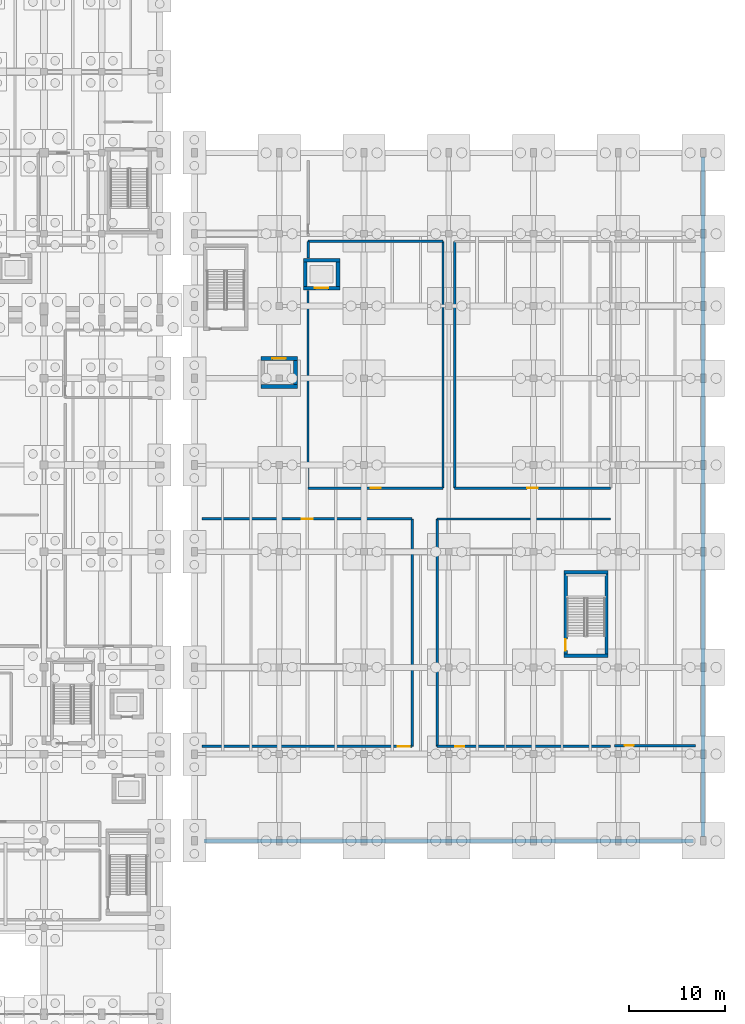
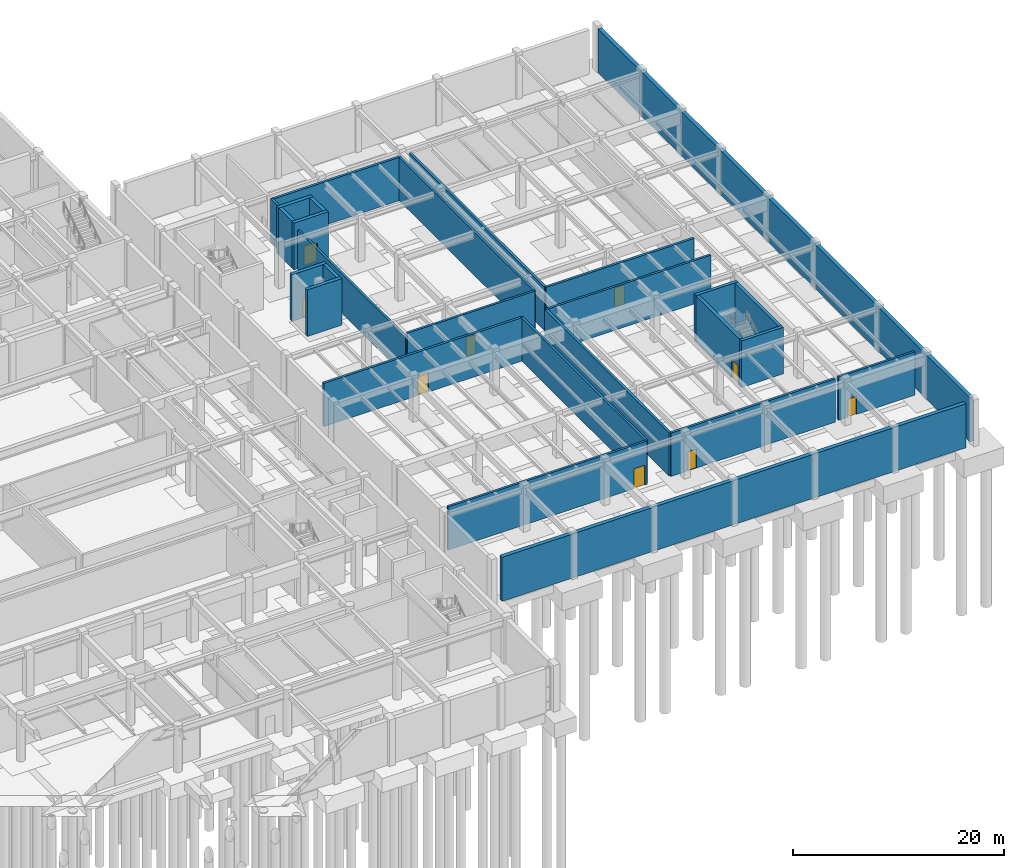
# One storey, part 55 of 69: 27 walls, 9 doors, 9 openings.
"""IFC4 building model written with IfcOpenShell, lengths in metres."""

from ifc_helpers import new_model, si_unit, direction, frame, frame_2d, origin, place, context, subcontext, project, spatial, rectangle, extrude, material, layer, layer_set, type_object, element, fill, save


model = new_model("IFC4")

# Units and contexts
model_context = context("Model", 3, precision=1e-05, world=origin(), true_north=direction((0.0, 1.0)))
body_context = subcontext(model_context, "Body", "Model", "MODEL_VIEW")
ifc_project = project(units=[si_unit("LENGTHUNIT", "METRE"), si_unit("AREAUNIT", "SQUARE_METRE"), si_unit("VOLUMEUNIT", "CUBIC_METRE"), si_unit("PLANEANGLEUNIT", "RADIAN"), si_unit("MASSUNIT", "GRAM", prefix="KILO")], contexts=[model_context])

# Site, building, storey
site_placement = place(None, origin())
site = spatial("IfcSite", under=ifc_project, at=site_placement, CompositionType="ELEMENT")
building_placement = place(site_placement, origin())
building = spatial("IfcBuilding", under=site, at=building_placement, Name="Vaelkrest Opera House", CompositionType="ELEMENT")
storey_placement = place(building_placement, frame((0.0, 0.0, -5.39990234375)))
storey = spatial("IfcBuildingStorey", under=building, at=storey_placement, Name="B1", CompositionType="ELEMENT", Elevation=-5.39990234375)

# Wall, opening, door
ifc_material_1 = material(Name="Concrete C40/50", Category="concrete")
ifc_layer_1 = layer(ifc_material_1, 0.239990234375)
ifc_layer_set_1 = layer_set([ifc_layer_1], Name="Concrete C40/50")
wall_type_1 = type_object("IfcWallType", Name="PT09", PredefinedType="PARTITIONING", material=ifc_layer_set_1)
wall_1_placement = place(storey_placement, frame((34.39990234375, -28.0, 0.0), z_axis=(0.0, 0.0, 1.0), x_axis=(1.0, 0.0, 0.0)))
wall_1 = element("IfcWall", 1, at=wall_1_placement, inside=storey, type_object=wall_type_1, Name="Interior partition PT-V4-B1-0327", PredefinedType="PARTITIONING", context=body_context, shape_type="SweptSolid", body=[
    extrude(rectangle(XDim=21.800048828125, YDim=0.239990234375, at=frame_2d((10.89990234375, 0.0))), origin(), (0.0, 0.0, 1.0), 5.02001953125),
])
opening_1_placement = place(wall_1_placement, frame((20.330078125, 0.0, 0.0)))
opening_1 = element("IfcOpeningElement", 2, at=opening_1_placement, cuts=wall_1, Name="Opening D135", PredefinedType="OPENING", context=body_context, shape_type="SweptSolid", body=[
    extrude(rectangle(XDim=1.219970703125, YDim=2.300048828125, at=frame_2d((0.60986328125, 1.14990234375))), frame((0.0, 0.1298828125, 0.0), z_axis=(0.0, -1.0, 0.0), x_axis=(1.0, 0.0, 0.0)), (0.0, 0.0, 1.0), 0.260009765625),
])
ifc_material_2 = material(Name="American black walnut acoustic timber", Category="wood")
door_type_1 = type_object("IfcDoorType", Name="DT24", OperationType="NOTDEFINED", PredefinedType="DOOR", material=ifc_material_2)
door_1_placement = place(opening_1_placement, origin())
door_1 = element("IfcDoor", 3, at=door_1_placement, inside=storey, type_object=door_type_1, Name="Interior door D135 (Scenery Store)", OperationType="SINGLE_SWING_RIGHT", OverallHeight=2.300048828125, OverallWidth=1.219970703125, PredefinedType="DOOR", context=body_context, shape_type="SweptSolid", body=[
    extrude(rectangle(XDim=1.219970703125, YDim=2.300048828125, at=frame_2d((0.60986328125, 1.14990234375))), frame((0.0, 0.02490234375, 0.0), z_axis=(0.0, -1.0, 0.0), x_axis=(1.0, 0.0, 0.0)), (0.0, 0.0, 1.0), 0.050048828125),
])
fill(opening_1, door_1)

# Walls
wall_2_placement = place(storey_placement, frame((56.199951171875, -28.0, 0.0), z_axis=(0.0, 0.0, 1.0), x_axis=(0.0, 1.0, 0.0)))
element("IfcWall", 4, at=wall_2_placement, inside=storey, type_object=wall_type_1, Name="Interior partition PT-V4-B1-0329", PredefinedType="PARTITIONING", context=body_context, shape_type="SweptSolid", body=[
    extrude(rectangle(XDim=23.60009765625, YDim=0.239990234375, at=frame_2d((11.800048828125, 0.0))), origin(), (0.0, 0.0, 1.0), 5.02001953125),
])
wall_3_placement = place(storey_placement, frame((58.800048828125, -4.39990234375, 0.0), z_axis=(0.0, 0.0, 1.0), x_axis=(1.0, 0.0, 0.0)))
element("IfcWall", 5, at=wall_3_placement, inside=storey, type_object=wall_type_1, Name="Interior partition PT-V4-B1-0331", PredefinedType="PARTITIONING", context=body_context, shape_type="SweptSolid", body=[
    extrude(rectangle(XDim=18.0, YDim=0.239990234375, at=frame_2d((9.0, 0.0))), origin(), (0.0, 0.0, 1.0), 5.02001953125),
])

# Wall, opening, door
wall_4_placement = place(storey_placement, frame((45.39990234375, -1.199951171875, 0.0), z_axis=(0.0, 0.0, 1.0), x_axis=(1.0, 0.0, 0.0)))
wall_4 = element("IfcWall", 6, at=wall_4_placement, inside=storey, type_object=wall_type_1, Name="Interior partition PT-V4-B1-0333", PredefinedType="PARTITIONING", context=body_context, shape_type="SweptSolid", body=[
    extrude(rectangle(XDim=14.0, YDim=0.239990234375, at=frame_2d((7.0, 0.0))), origin(), (0.0, 0.0, 1.0), 5.02001953125),
])
opening_2_placement = place(wall_4_placement, frame((6.47998046875, 0.0, 0.0)))
opening_2 = element("IfcOpeningElement", 7, at=opening_2_placement, cuts=wall_4, Name="Opening D133", PredefinedType="OPENING", context=body_context, shape_type="SweptSolid", body=[
    extrude(rectangle(XDim=1.0400390625, YDim=2.199951171875, at=frame_2d((0.52001953125, 1.10009765625))), frame((0.0, 0.1298828125, 0.0), z_axis=(0.0, -1.0, 0.0), x_axis=(1.0, 0.0, 0.0)), (0.0, 0.0, 1.0), 0.260009765625),
])
door_type_2 = type_object("IfcDoorType", Name="DT22", OperationType="NOTDEFINED", PredefinedType="DOOR", material=ifc_material_2)
door_2_placement = place(opening_2_placement, origin())
door_2 = element("IfcDoor", 8, at=door_2_placement, inside=storey, type_object=door_type_2, Name="Interior door D133 (MEP Plant Room)", OperationType="SINGLE_SWING_RIGHT", OverallHeight=2.199951171875, OverallWidth=1.0400390625, PredefinedType="DOOR", context=body_context, shape_type="SweptSolid", body=[
    extrude(rectangle(XDim=1.0400390625, YDim=2.199951171875, at=frame_2d((0.52001953125, 1.10009765625))), frame((0.0, 0.02490234375, 0.0), z_axis=(0.0, -1.0, 0.0), x_axis=(1.0, 0.0, 0.0)), (0.0, 0.0, 1.0), 0.050048828125),
])
fill(opening_2, door_2)

# Walls
wall_5_placement = place(storey_placement, frame((45.39990234375, -1.199951171875, 0.0), z_axis=(0.0, 0.0, 1.0), x_axis=(0.0, 1.0, 0.0)))
element("IfcWall", 9, at=wall_5_placement, inside=storey, type_object=wall_type_1, Name="Interior partition PT-V4-B1-0335", PredefinedType="PARTITIONING", context=body_context, shape_type="SweptSolid", body=[
    extrude(rectangle(XDim=20.5, YDim=0.239990234375, at=frame_2d((10.25, 0.0))), origin(), (0.0, 0.0, 1.0), 4.52099609375),
])
wall_6_placement = place(storey_placement, frame((59.39990234375, -1.199951171875, 0.0), z_axis=(0.0, 0.0, 1.0), x_axis=(0.0, 1.0, 0.0)))
element("IfcWall", 10, at=wall_6_placement, inside=storey, type_object=wall_type_1, Name="Interior partition PT-V4-B1-0337", PredefinedType="PARTITIONING", context=body_context, shape_type="SweptSolid", body=[
    extrude(rectangle(XDim=25.599853515625, YDim=0.239990234375, at=frame_2d((12.7998046875, 0.0))), origin(), (0.0, 0.0, 1.0), 5.02001953125),
])

# Wall, opening, door
wall_7_placement = place(storey_placement, frame((77.199951171875, -27.919921875, 0.0), z_axis=(0.0, 0.0, 1.0), x_axis=(1.0, 0.0, 0.0)))
wall_7 = element("IfcWall", 11, at=wall_7_placement, inside=storey, type_object=wall_type_1, Name="Interior partition PT-V4-B1-0343", PredefinedType="PARTITIONING", context=body_context, shape_type="SweptSolid", body=[
    extrude(rectangle(XDim=8.400146484375, YDim=0.239990234375, at=frame_2d((4.2001953125, 0.0))), origin(), (0.0, 0.0, 1.0), 5.02001953125),
])
opening_3_placement = place(wall_7_placement, frame((1.050048828125, 0.0, 0.0)))
opening_3 = element("IfcOpeningElement", 12, at=opening_3_placement, cuts=wall_7, Name="Opening D137", PredefinedType="OPENING", context=body_context, shape_type="SweptSolid", body=[
    extrude(rectangle(XDim=0.93994140625, YDim=2.10009765625, at=frame_2d((0.469970703125, 1.050048828125))), frame((0.0, 0.1298828125, 0.0), z_axis=(0.0, -1.0, 0.0), x_axis=(1.0, 0.0, 0.0)), (0.0, 0.0, 1.0), 0.260009765625),
])
door_type_3 = type_object("IfcDoorType", Name="DT02", OperationType="NOTDEFINED", PredefinedType="DOOR", material=ifc_material_2)
door_3_placement = place(opening_3_placement, origin())
door_3 = element("IfcDoor", 13, at=door_3_placement, inside=storey, type_object=door_type_3, Name="Interior door D137 (Prop Store)", OperationType="SINGLE_SWING_RIGHT", OverallHeight=2.10009765625, OverallWidth=0.93994140625, PredefinedType="DOOR", context=body_context, shape_type="SweptSolid", body=[
    extrude(rectangle(XDim=0.93994140625, YDim=2.10009765625, at=frame_2d((0.469970703125, 1.050048828125))), frame((0.0, 0.02490234375, 0.0), z_axis=(0.0, -1.0, 0.0), x_axis=(1.0, 0.0, 0.0)), (0.0, 0.0, 1.0), 0.050048828125),
])
fill(opening_3, door_3)

ifc_layer_2 = layer(ifc_material_1, 0.260009765625)
ifc_layer_set_2 = layer_set([ifc_layer_2], Name="Concrete C40/50")
wall_type_2 = type_object("IfcWallType", Name="PT10", PredefinedType="PARTITIONING", material=ifc_layer_set_2)
wall_8_placement = place(storey_placement, frame((34.39990234375, -4.39990234375, 0.0), z_axis=(0.0, 0.0, 1.0), x_axis=(1.0, 0.0, 0.0)))
wall_8 = element("IfcWall", 14, at=wall_8_placement, inside=storey, type_object=wall_type_2, Name="Interior partition PT-V4-B1-0328", PredefinedType="PARTITIONING", context=body_context, shape_type="SweptSolid", body=[
    extrude(rectangle(XDim=21.800048828125, YDim=0.260009765625, at=frame_2d((10.89990234375, 0.0))), origin(), (0.0, 0.0, 1.0), 5.02001953125),
])
opening_4_placement = place(wall_8_placement, frame((10.324951171875, 0.0, 0.0)))
opening_4 = element("IfcOpeningElement", 15, at=opening_4_placement, cuts=wall_8, Name="Opening D131", PredefinedType="OPENING", context=body_context, shape_type="SweptSolid", body=[
    extrude(rectangle(XDim=1.14990234375, YDim=2.300048828125, at=frame_2d((0.574951171875, 1.14990234375))), frame((0.0, 0.139892578125, 0.0), z_axis=(0.0, -1.0, 0.0), x_axis=(1.0, 0.0, 0.0)), (0.0, 0.0, 1.0), 0.280029296875),
])
door_type_4 = type_object("IfcDoorType", Name="DT12", OperationType="NOTDEFINED", PredefinedType="DOOR", material=ifc_material_2)
door_4_placement = place(opening_4_placement, origin())
door_4 = element("IfcDoor", 16, at=door_4_placement, inside=storey, type_object=door_type_4, Name="Interior door D131 (Scenery Store)", OperationType="SINGLE_SWING_RIGHT", OverallHeight=2.300048828125, OverallWidth=1.14990234375, PredefinedType="DOOR", context=body_context, shape_type="SweptSolid", body=[
    extrude(rectangle(XDim=1.14990234375, YDim=2.300048828125, at=frame_2d((0.574951171875, 1.14990234375))), frame((0.0, 0.02490234375, 0.0), z_axis=(0.0, -1.0, 0.0), x_axis=(1.0, 0.0, 0.0)), (0.0, 0.0, 1.0), 0.050048828125),
])
fill(opening_4, door_4)

wall_9_placement = place(storey_placement, frame((58.800048828125, -28.0, 0.0), z_axis=(0.0, 0.0, 1.0), x_axis=(1.0, 0.0, 0.0)))
wall_9 = element("IfcWall", 17, at=wall_9_placement, inside=storey, type_object=wall_type_2, Name="Interior partition PT-V4-B1-0330", PredefinedType="PARTITIONING", context=body_context, shape_type="SweptSolid", body=[
    extrude(rectangle(XDim=18.0, YDim=0.260009765625, at=frame_2d((9.0, 0.0))), origin(), (0.0, 0.0, 1.0), 5.02001953125),
])
opening_5_placement = place(wall_9_placement, frame((1.85009765625, 0.0, 0.0)))
opening_5 = element("IfcOpeningElement", 18, at=opening_5_placement, cuts=wall_9, Name="Opening D132", PredefinedType="OPENING", context=body_context, shape_type="SweptSolid", body=[
    extrude(rectangle(XDim=0.9599609375, YDim=2.199951171875, at=frame_2d((0.47998046875, 1.10009765625))), frame((0.0, 0.139892578125, 0.0), z_axis=(0.0, -1.0, 0.0), x_axis=(1.0, 0.0, 0.0)), (0.0, 0.0, 1.0), 0.280029296875),
])
door_type_5 = type_object("IfcDoorType", Name="DT21", OperationType="NOTDEFINED", PredefinedType="DOOR", material=ifc_material_2)
door_5_placement = place(opening_5_placement, origin())
door_5 = element("IfcDoor", 19, at=door_5_placement, inside=storey, type_object=door_type_5, Name="Interior door D132 (Prop Store)", OperationType="SINGLE_SWING_LEFT", OverallHeight=2.199951171875, OverallWidth=0.9599609375, PredefinedType="DOOR", context=body_context, shape_type="SweptSolid", body=[
    extrude(rectangle(XDim=0.9599609375, YDim=2.199951171875, at=frame_2d((0.47998046875, 1.10009765625))), frame((0.0, 0.02490234375, 0.0), z_axis=(0.0, -1.0, 0.0), x_axis=(1.0, 0.0, 0.0)), (0.0, 0.0, 1.0), 0.050048828125),
])
fill(opening_5, door_5)

# Walls
wall_10_placement = place(storey_placement, frame((58.800048828125, -28.0, 0.0), z_axis=(0.0, 0.0, 1.0), x_axis=(0.0, 1.0, 0.0)))
element("IfcWall", 20, at=wall_10_placement, inside=storey, type_object=wall_type_2, Name="Interior partition PT-V4-B1-0332", PredefinedType="PARTITIONING", context=body_context, shape_type="SweptSolid", body=[
    extrude(rectangle(XDim=23.60009765625, YDim=0.260009765625, at=frame_2d((11.800048828125, 0.0))), origin(), (0.0, 0.0, 1.0), 5.02001953125),
])
wall_11_placement = place(storey_placement, frame((45.39990234375, 24.39990234375, 0.0), z_axis=(0.0, 0.0, 1.0), x_axis=(1.0, 0.0, 0.0)))
element("IfcWall", 21, at=wall_11_placement, inside=storey, type_object=wall_type_2, Name="Interior partition PT-V4-B1-0334", PredefinedType="PARTITIONING", context=body_context, shape_type="SweptSolid", body=[
    extrude(rectangle(XDim=14.0, YDim=0.260009765625, at=frame_2d((7.0, 0.0))), origin(), (0.0, 0.0, 1.0), 5.02001953125),
])
wall_12_placement = place(storey_placement, frame((45.39990234375, 22.699951171875, 0.0), z_axis=(0.0, 0.0, 1.0), x_axis=(0.0, 1.0, 0.0)))
element("IfcWall", 22, at=wall_12_placement, inside=storey, type_object=wall_type_2, Name="Interior partition PT-V4-B1-0336", PredefinedType="PARTITIONING", context=body_context, shape_type="SweptSolid", body=[
    extrude(rectangle(XDim=1.699951171875, YDim=0.260009765625, at=frame_2d((0.85009765625, 0.0))), origin(), (0.0, 0.0, 1.0), 5.02001953125),
])

# Wall, opening, door
wall_13_placement = place(storey_placement, frame((60.60009765625, -1.199951171875, 0.0), z_axis=(0.0, 0.0, 1.0), x_axis=(1.0, 0.0, 0.0)))
wall_13 = element("IfcWall", 23, at=wall_13_placement, inside=storey, type_object=wall_type_2, Name="Interior partition PT-V4-B1-0338", PredefinedType="PARTITIONING", context=body_context, shape_type="SweptSolid", body=[
    extrude(rectangle(XDim=16.199951171875, YDim=0.260009765625, at=frame_2d((8.10009765625, 0.0))), origin(), (0.0, 0.0, 1.0), 5.02001953125),
])
opening_6_placement = place(wall_13_placement, frame((7.5400390625, 0.0, 0.0)))
opening_6 = element("IfcOpeningElement", 24, at=opening_6_placement, cuts=wall_13, Name="Opening D134", PredefinedType="OPENING", context=body_context, shape_type="SweptSolid", body=[
    extrude(rectangle(XDim=1.1201171875, YDim=2.25, at=frame_2d((0.56005859375, 1.125))), frame((0.0, 0.139892578125, 0.0), z_axis=(0.0, -1.0, 0.0), x_axis=(1.0, 0.0, 0.0)), (0.0, 0.0, 1.0), 0.280029296875),
])
door_type_6 = type_object("IfcDoorType", Name="DT23", OperationType="NOTDEFINED", PredefinedType="DOOR", material=ifc_material_2)
door_6_placement = place(opening_6_placement, origin())
door_6 = element("IfcDoor", 25, at=door_6_placement, inside=storey, type_object=door_type_6, Name="Interior door D134 (HVAC Plant Room)", OperationType="SINGLE_SWING_LEFT", OverallHeight=2.25, OverallWidth=1.1201171875, PredefinedType="DOOR", context=body_context, shape_type="SweptSolid", body=[
    extrude(rectangle(XDim=1.1201171875, YDim=2.25, at=frame_2d((0.56005859375, 1.125))), frame((0.0, 0.02490234375, 0.0), z_axis=(0.0, -1.0, 0.0), x_axis=(1.0, 0.0, 0.0)), (0.0, 0.0, 1.0), 0.050048828125),
])
fill(opening_6, door_6)

# Walls
wall_14_placement = place(storey_placement, frame((60.60009765625, -1.199951171875, 0.0), z_axis=(0.0, 0.0, 1.0), x_axis=(0.0, 1.0, 0.0)))
element("IfcWall", 26, at=wall_14_placement, inside=storey, type_object=wall_type_2, Name="Interior partition PT-V4-B1-0340", PredefinedType="PARTITIONING", context=body_context, shape_type="SweptSolid", body=[
    extrude(rectangle(XDim=25.599853515625, YDim=0.260009765625, at=frame_2d((12.7998046875, 0.0))), origin(), (0.0, 0.0, 1.0), 5.02001953125),
])
ifc_layer_3 = layer(ifc_material_1, 0.419921875)
ifc_layer_set_3 = layer_set([ifc_layer_3], Name="Concrete C40/50")
wall_type_3 = type_object("IfcWallType", Name="RW01", PredefinedType="USERDEFINED", material=ifc_layer_set_3)
wall_15_placement = place(storey_placement, frame((86.39990234375, -37.35009765625, 0.0), z_axis=(0.0, 0.0, 1.0), x_axis=(0.0, 1.0, 0.0)))
element("IfcWall", 27, at=wall_15_placement, inside=storey, type_object=wall_type_3, Name="Retaining wall RW-V4-E", ObjectType="RETAINING WALL", PredefinedType="USERDEFINED", context=body_context, shape_type="SweptSolid", body=[
    extrude(rectangle(XDim=70.5, YDim=0.419921875, at=frame_2d((35.25, 0.0))), origin(), (0.0, 0.0, 1.0), 5.10986328125),
])
wall_16_placement = place(storey_placement, frame((34.60009765625, -37.800048828125, 0.0), z_axis=(0.0, 0.0, 1.0), x_axis=(1.0, 0.0, 0.0)))
element("IfcWall", 28, at=wall_16_placement, inside=storey, type_object=wall_type_3, Name="Retaining wall RW-V4-S", ObjectType="RETAINING WALL", PredefinedType="USERDEFINED", context=body_context, shape_type="SweptSolid", body=[
    extrude(rectangle(XDim=50.7998046875, YDim=0.419921875, at=frame_2d((25.39990234375, 0.0))), origin(), (0.0, 0.0, 1.0), 5.10986328125),
])
ifc_material_3 = material(Name="Concrete C50/60", Category="concrete")
ifc_layer_4 = layer(ifc_material_3, 0.35009765625)
ifc_layer_set_4 = layer_set([ifc_layer_4], Name="Concrete C50/60")
wall_type_4 = type_object("IfcWallType", Name="SW01", PredefinedType="SHEAR", material=ifc_layer_set_4)
wall_17_placement = place(storey_placement, frame((76.550048828125, -18.574951171875, 0.0), z_axis=(0.0, 0.0, 1.0), x_axis=(-1.0, 0.0, 0.0)))
element("IfcWall", 29, at=wall_17_placement, inside=storey, type_object=wall_type_4, Name="Stair core ST10 wall B1 S", PredefinedType="SHEAR", context=body_context, shape_type="SweptSolid", body=[
    extrude(rectangle(XDim=4.60009765625, YDim=0.35009765625, at=frame_2d((2.300048828125, 0.0))), origin(), (0.0, 0.0, 1.0), 5.39990234375),
])

# Wall, opening, door
wall_18_placement = place(storey_placement, frame((72.125, -18.39990234375, 0.0), z_axis=(0.0, 0.0, 1.0), x_axis=(0.0, 1.0, 0.0)))
wall_18 = element("IfcWall", 30, at=wall_18_placement, inside=storey, type_object=wall_type_4, Name="Stair core ST10 wall B1 W", PredefinedType="SHEAR", context=body_context, shape_type="SweptSolid", body=[
    extrude(rectangle(XDim=8.2998046875, YDim=0.35009765625, at=frame_2d((4.14990234375, 0.0))), origin(), (0.0, 0.0, 1.0), 5.39990234375),
])
opening_7_placement = place(wall_18_placement, frame((0.35009765625, 0.0, 0.0)))
opening_7 = element("IfcOpeningElement", 31, at=opening_7_placement, cuts=wall_18, Name="Opening SD-ST10-B1", PredefinedType="OPENING", context=body_context, shape_type="SweptSolid", body=[
    extrude(rectangle(XDim=1.179931640625, YDim=2.14990234375, at=frame_2d((0.58984375, 1.074951171875))), frame((0.0, 0.18505859375, 0.0), z_axis=(0.0, -1.0, 0.0), x_axis=(1.0, 0.0, 0.0)), (0.0, 0.0, 1.0), 0.3701171875),
])
door_type_7 = type_object("IfcDoorType", Name="DT07", OperationType="NOTDEFINED", PredefinedType="DOOR", material=ifc_material_2)
door_7_placement = place(opening_7_placement, origin())
door_7 = element("IfcDoor", 32, at=door_7_placement, inside=storey, type_object=door_type_7, Name="Protected stair door SD-ST10-B1", OperationType="SINGLE_SWING_LEFT", OverallHeight=2.14990234375, OverallWidth=1.179931640625, PredefinedType="DOOR", context=body_context, shape_type="SweptSolid", body=[
    extrude(rectangle(XDim=1.179931640625, YDim=2.14990234375, at=frame_2d((0.58984375, 1.074951171875))), frame((0.0, 0.02490234375, 0.0), z_axis=(0.0, -1.0, 0.0), x_axis=(1.0, 0.0, 0.0)), (0.0, 0.0, 1.0), 0.050048828125),
])
fill(opening_7, door_7)

# Walls
wall_19_placement = place(storey_placement, frame((71.949951171875, -9.925048828125, 0.0), z_axis=(0.0, 0.0, 1.0), x_axis=(1.0, 0.0, 0.0)))
element("IfcWall", 33, at=wall_19_placement, inside=storey, type_object=wall_type_4, Name="Stair core ST10 wall B1 N", PredefinedType="SHEAR", context=body_context, shape_type="SweptSolid", body=[
    extrude(rectangle(XDim=4.60009765625, YDim=0.35009765625, at=frame_2d((2.300048828125, 0.0))), origin(), (0.0, 0.0, 1.0), 5.39990234375),
])
wall_20_placement = place(storey_placement, frame((76.375, -10.10009765625, 0.0), z_axis=(0.0, 0.0, 1.0), x_axis=(0.0, -1.0, 0.0)))
element("IfcWall", 34, at=wall_20_placement, inside=storey, type_object=wall_type_4, Name="Stair core ST10 wall B1 E", PredefinedType="SHEAR", context=body_context, shape_type="SweptSolid", body=[
    extrude(rectangle(XDim=8.2998046875, YDim=0.35009765625, at=frame_2d((4.14990234375, 0.0))), origin(), (0.0, 0.0, 1.0), 5.39990234375),
])
ifc_layer_5 = layer(ifc_material_3, 0.389892578125)
ifc_layer_set_5 = layer_set([ifc_layer_5], Name="Concrete C50/60")
wall_type_5 = type_object("IfcWallType", Name="SW02", PredefinedType="SHEAR", material=ifc_layer_set_5)
wall_21_placement = place(storey_placement, frame((44.2900390625, 9.35498046875, 0.0), z_axis=(0.0, 0.0, 1.0), x_axis=(-1.0, 0.0, 0.0)))
element("IfcWall", 35, at=wall_21_placement, inside=storey, type_object=wall_type_5, Name="Lift shaft LP06 wall B1 S", PredefinedType="SHEAR", context=body_context, shape_type="SweptSolid", body=[
    extrude(rectangle(XDim=3.780029296875, YDim=0.389892578125, at=frame_2d((1.89013671875, 0.0))), origin(), (0.0, 0.0, 1.0), 5.39990234375),
])

# Wall, opening, door
wall_22_placement = place(storey_placement, frame((40.510009765625, 12.2451171875, 0.0), z_axis=(0.0, 0.0, 1.0), x_axis=(1.0, 0.0, 0.0)))
wall_22 = element("IfcWall", 36, at=wall_22_placement, inside=storey, type_object=wall_type_5, Name="Lift shaft LP06 wall B1 N", PredefinedType="SHEAR", context=body_context, shape_type="SweptSolid", body=[
    extrude(rectangle(XDim=3.780029296875, YDim=0.389892578125, at=frame_2d((1.89013671875, 0.0))), origin(), (0.0, 0.0, 1.0), 5.39990234375),
])
opening_8_placement = place(wall_22_placement, frame((1.18994140625, 0.0, 0.0)))
opening_8 = element("IfcOpeningElement", 37, at=opening_8_placement, cuts=wall_22, Name="Opening LD-LP06-B1", PredefinedType="OPENING", context=body_context, shape_type="SweptSolid", body=[
    extrude(rectangle(XDim=1.39990234375, YDim=2.199951171875, at=frame_2d((0.699951171875, 1.10009765625))), frame((0.0, 0.204833984375, 0.0), z_axis=(0.0, -1.0, 0.0), x_axis=(1.0, 0.0, 0.0)), (0.0, 0.0, 1.0), 0.409912109375),
])
ifc_material_4 = material(Name="Dark bronze anodized aluminium", Category="aluminium")
door_type_8 = type_object("IfcDoorType", Name="LDT02", OperationType="SLIDING_TO_LEFT", PredefinedType="DOOR", material=ifc_material_4)
door_8_placement = place(opening_8_placement, origin())
door_8 = element("IfcDoor", 38, at=door_8_placement, inside=storey, type_object=door_type_8, Name="Lift landing sliding door LD-LP06-B1", OperationType="SLIDING_TO_LEFT", OverallHeight=2.199951171875, OverallWidth=1.39990234375, PredefinedType="DOOR", context=body_context, shape_type="SweptSolid", body=[
    extrude(rectangle(XDim=1.39990234375, YDim=2.199951171875, at=frame_2d((0.699951171875, 1.10009765625))), frame((0.0, 0.02490234375, 0.0), z_axis=(0.0, -1.0, 0.0), x_axis=(1.0, 0.0, 0.0)), (0.0, 0.0, 1.0), 0.050048828125),
])
fill(opening_8, door_8)

# Wall
wall_23_placement = place(storey_placement, frame((44.094970703125, 12.050048828125, 0.0), z_axis=(0.0, 0.0, 1.0), x_axis=(0.0, -1.0, 0.0)))
element("IfcWall", 39, at=wall_23_placement, inside=storey, type_object=wall_type_5, Name="Lift shaft LP06 wall B1 E", PredefinedType="SHEAR", context=body_context, shape_type="SweptSolid", body=[
    extrude(rectangle(XDim=2.5, YDim=0.389892578125, at=frame_2d((1.25, 0.0))), origin(), (0.0, 0.0, 1.0), 5.39990234375),
])

# Wall, opening, door
wall_24_placement = place(storey_placement, frame((48.68994140625, 19.554931640625, 0.0), z_axis=(0.0, 0.0, 1.0), x_axis=(-1.0, 0.0, 0.0)))
wall_24 = element("IfcWall", 40, at=wall_24_placement, inside=storey, type_object=wall_type_5, Name="Lift shaft LS01 wall B1 S", PredefinedType="SHEAR", context=body_context, shape_type="SweptSolid", body=[
    extrude(rectangle(XDim=3.780029296875, YDim=0.389892578125, at=frame_2d((1.89013671875, 0.0))), origin(), (0.0, 0.0, 1.0), 5.39990234375),
])
opening_9_placement = place(wall_24_placement, frame((1.18994140625, 0.0, 0.0)))
opening_9 = element("IfcOpeningElement", 41, at=opening_9_placement, cuts=wall_24, Name="Opening LD-LS01-B1", PredefinedType="OPENING", context=body_context, shape_type="SweptSolid", body=[
    extrude(rectangle(XDim=1.39990234375, YDim=2.199951171875, at=frame_2d((0.699951171875, 1.10009765625))), frame((0.0, 0.204833984375, 0.0), z_axis=(0.0, -1.0, 0.0), x_axis=(1.0, 0.0, 0.0)), (0.0, 0.0, 1.0), 0.409912109375),
])
door_9_placement = place(opening_9_placement, origin())
door_9 = element("IfcDoor", 42, at=door_9_placement, inside=storey, type_object=door_type_8, Name="Lift landing sliding door LD-LS01-B1", OperationType="SLIDING_TO_LEFT", OverallHeight=2.199951171875, OverallWidth=1.39990234375, PredefinedType="DOOR", context=body_context, shape_type="SweptSolid", body=[
    extrude(rectangle(XDim=1.39990234375, YDim=2.199951171875, at=frame_2d((0.699951171875, 1.10009765625))), frame((0.0, 0.02490234375, 0.0), z_axis=(0.0, -1.0, 0.0), x_axis=(1.0, 0.0, 0.0)), (0.0, 0.0, 1.0), 0.050048828125),
])
fill(opening_9, door_9)

# Walls
wall_25_placement = place(storey_placement, frame((44.909912109375, 22.445068359375, 0.0), z_axis=(0.0, 0.0, 1.0), x_axis=(1.0, 0.0, 0.0)))
element("IfcWall", 43, at=wall_25_placement, inside=storey, type_object=wall_type_5, Name="Lift shaft LS01 wall B1 N", PredefinedType="SHEAR", context=body_context, shape_type="SweptSolid", body=[
    extrude(rectangle(XDim=3.780029296875, YDim=0.389892578125, at=frame_2d((1.89013671875, 0.0))), origin(), (0.0, 0.0, 1.0), 5.39990234375),
])
for number, where, z_axis, x_axis, name in (
    (44, (45.10498046875, 19.75, 0.0), (0.0, 0.0, 1.0), (0.0, 1.0, 0.0), "Lift shaft LS01 wall B1 W"),
    (45, (48.4951171875, 22.25, 0.0), (0.0, 0.0, 1.0), (0.0, -1.0, 0.0), "Lift shaft LS01 wall B1 E"),
):
    element("IfcWall", number, at=place(storey_placement, frame(where, z_axis=z_axis, x_axis=x_axis)), inside=storey, type_object=wall_type_5, Name=name, PredefinedType="SHEAR", context=body_context, shape_type="SweptSolid", body=[
        extrude(rectangle(XDim=2.5, YDim=0.389892578125, at=frame_2d((1.25, 0.0))), origin(), (0.0, 0.0, 1.0), 5.39990234375),
    ])

save(model, "model.ifc")
